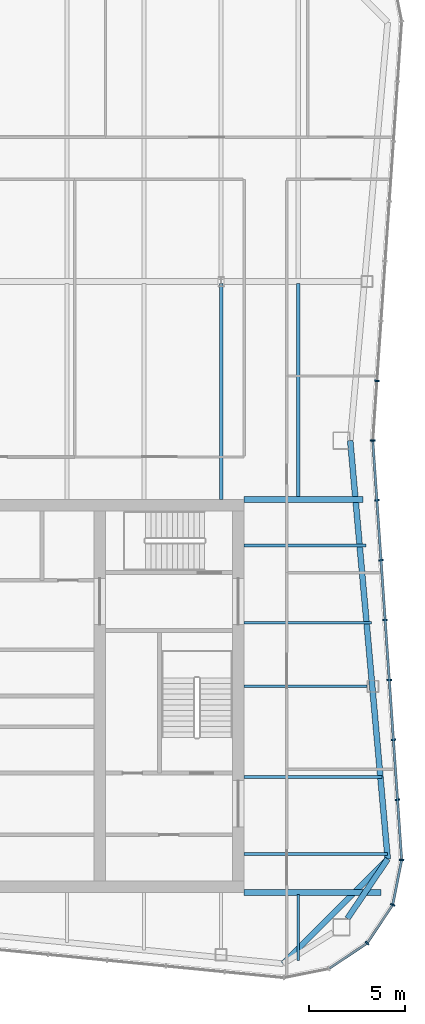
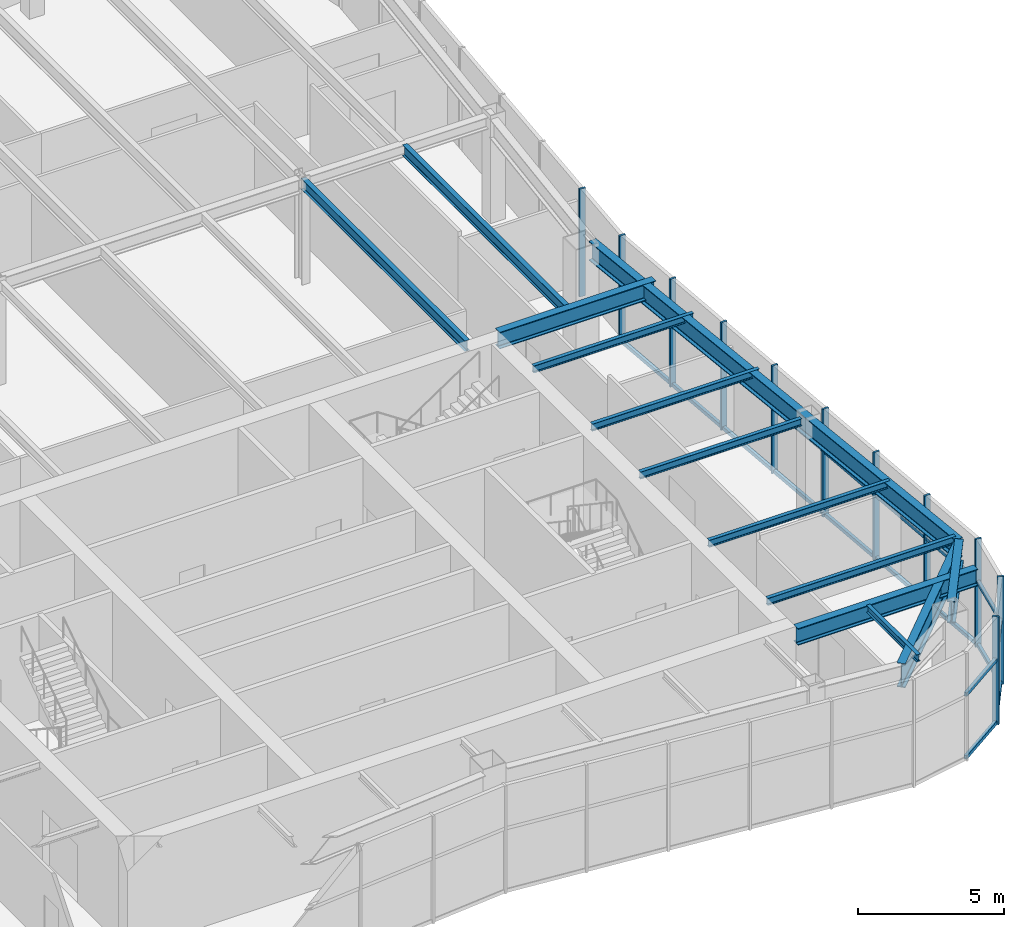
# One storey, part 5 of 13: 19 members, 13 beams, 2 elements without a shape of their own.
"""IFC4 building model written with IfcOpenShell, lengths in metres."""

from ifc_helpers import new_model, si_unit, direction, frame, origin, origin_2d, place, context, subcontext, project, spatial, rectangle, i_section, extrude, material, material_profile, profile_set, type_object, element, aggregate, save


model = new_model("IFC4")

# Units and contexts
model_context = context("Model", 3, precision=1e-05, world=origin(), true_north=direction((0.0, 1.0)))
body_context = subcontext(model_context, "Body", "Model", "MODEL_VIEW")
ifc_project = project(units=[si_unit("LENGTHUNIT", "METRE"), si_unit("AREAUNIT", "SQUARE_METRE"), si_unit("VOLUMEUNIT", "CUBIC_METRE"), si_unit("PLANEANGLEUNIT", "RADIAN"), si_unit("MASSUNIT", "GRAM", prefix="KILO")], contexts=[model_context])

# Site, building, storey
site_placement = place(None, origin())
site = spatial("IfcSite", under=ifc_project, at=site_placement, CompositionType="ELEMENT")
building_placement = place(site_placement, origin())
building = spatial("IfcBuilding", under=site, at=building_placement, Name="Verdant Reach Tower", CompositionType="ELEMENT")
storey_placement = place(building_placement, frame((0.0, 0.0, 359.5)))
storey = spatial("IfcBuildingStorey", under=building, at=storey_placement, Name="L81 Plant", CompositionType="ELEMENT", Elevation=359.5)

# Curtain wall, members
ifc_material_1 = material(Name="Anodised aluminium", Category="aluminium")
curtain_wall_type = type_object("IfcCurtainWallType", Name="EN-CW SYSTEM PLANT", PredefinedType="NOTDEFINED", material=ifc_material_1)
curtain_wall_1_placement = place(storey_placement, origin())
curtain_wall_1 = element("IfcCurtainWall", 1, at=curtain_wall_1_placement, inside=storey, type_object=curtain_wall_type, Name="Curtain wall south-east corner, L81", PredefinedType="NOTDEFINED")
ifc_material_profile_1 = material_profile(ifc_material_1, rectangle(XDim=0.238037109375, YDim=0.080078125, at=origin_2d()), Name="Mullion 80x240")
ifc_profile_set_1 = profile_set([ifc_material_profile_1], Name="Anodised aluminium")
member_type_1 = type_object("IfcMemberType", Name="EN-MULLION PLANT", PredefinedType="MULLION", material=ifc_profile_set_1)
member_1_placement = place(storey_placement, frame((19.57666015625, 15.17333984375, -0.35009765625), z_axis=(0.0, 0.0, 1.0), x_axis=(0.707106781187, -0.707106781187, 0.0)))
member_1 = element("IfcMember", 2, at=member_1_placement, type_object=member_type_1, Name="Mullion south-east corner 3, L81", PredefinedType="MULLION", context=body_context, shape_type="SweptSolid", body=[
    extrude(rectangle(XDim=0.238037109375, YDim=0.080078125, at=origin_2d()), origin(), (0.0, 0.0, 1.0), 4.5),
])
member_2_placement = place(storey_placement, frame((20.9033203125, 17.158447265625, -0.35009765625), z_axis=(0.0, 0.0, 1.0), x_axis=(0.923875215753, -0.382693853776, 0.0)))
member_2 = element("IfcMember", 3, at=member_2_placement, type_object=member_type_1, Name="Mullion south-east corner 4, L81", PredefinedType="MULLION", context=body_context, shape_type="SweptSolid", body=[
    extrude(rectangle(XDim=0.238037109375, YDim=0.080078125, at=origin_2d()), origin(), (0.0, 0.0, 1.0), 4.5),
])

curtain_wall_2_placement = place(storey_placement, origin())
curtain_wall_2 = element("IfcCurtainWall", 4, at=curtain_wall_2_placement, inside=storey, type_object=curtain_wall_type, Name="Curtain wall east, L81", PredefinedType="NOTDEFINED")
member_3_placement = place(storey_placement, frame((21.36865234375, 19.492431640625, -0.35009765625), z_axis=(0.0, 0.0, 1.0), x_axis=(0.997969180898, -0.063698618332, 0.0)))
member_3 = element("IfcMember", 5, at=member_3_placement, type_object=member_type_1, Name="Mullion east face part 1 1, L81", PredefinedType="MULLION", context=body_context, shape_type="SweptSolid", body=[
    extrude(rectangle(XDim=0.238037109375, YDim=0.080078125, at=origin_2d()), origin(), (0.0, 0.0, 1.0), 4.5),
])
member_4_placement = place(storey_placement, frame((21.154541015625, 22.615234375, -0.35009765625), z_axis=(0.0, 0.0, 1.0), x_axis=(0.997630328423, 0.068802091615, 0.0)))
member_4 = element("IfcMember", 6, at=member_4_placement, type_object=member_type_1, Name="Mullion east face part 1 2, L81", PredefinedType="MULLION", context=body_context, shape_type="SweptSolid", body=[
    extrude(rectangle(XDim=0.238037109375, YDim=0.080078125, at=origin_2d()), origin(), (0.0, 0.0, 1.0), 4.5),
])
member_5_placement = place(storey_placement, frame((20.940185546875, 25.722412109375, -0.35009765625), z_axis=(0.0, 0.0, 1.0), x_axis=(0.997630328423, 0.068802091615, 0.0)))
member_5 = element("IfcMember", 7, at=member_5_placement, type_object=member_type_1, Name="Mullion east face part 1 3, L81", PredefinedType="MULLION", context=body_context, shape_type="SweptSolid", body=[
    extrude(rectangle(XDim=0.238037109375, YDim=0.080078125, at=origin_2d()), origin(), (0.0, 0.0, 1.0), 4.5),
])
member_6_placement = place(storey_placement, frame((20.725830078125, 28.82958984375, -0.35009765625), z_axis=(0.0, 0.0, 1.0), x_axis=(0.997630328423, 0.068802091615, 0.0)))
member_6 = element("IfcMember", 8, at=member_6_placement, type_object=member_type_1, Name="Mullion east face part 1 4, L81", PredefinedType="MULLION", context=body_context, shape_type="SweptSolid", body=[
    extrude(rectangle(XDim=0.238037109375, YDim=0.080078125, at=origin_2d()), origin(), (0.0, 0.0, 1.0), 4.5),
])
member_7_placement = place(storey_placement, frame((20.511474609375, 31.936767578125, -0.35009765625), z_axis=(0.0, 0.0, 1.0), x_axis=(0.997630328423, 0.068802091615, 0.0)))
member_7 = element("IfcMember", 9, at=member_7_placement, type_object=member_type_1, Name="Mullion east face part 1 5, L81", PredefinedType="MULLION", context=body_context, shape_type="SweptSolid", body=[
    extrude(rectangle(XDim=0.238037109375, YDim=0.080078125, at=origin_2d()), origin(), (0.0, 0.0, 1.0), 4.5),
])
member_8_placement = place(storey_placement, frame((20.29736328125, 35.0439453125, -0.35009765625), z_axis=(0.0, 0.0, 1.0), x_axis=(0.997630328423, 0.068802091615, 0.0)))
member_8 = element("IfcMember", 10, at=member_8_placement, type_object=member_type_1, Name="Mullion east face part 1 6, L81", PredefinedType="MULLION", context=body_context, shape_type="SweptSolid", body=[
    extrude(rectangle(XDim=0.238037109375, YDim=0.080078125, at=origin_2d()), origin(), (0.0, 0.0, 1.0), 4.5),
])
member_9_placement = place(storey_placement, frame((20.0830078125, 38.151123046875, -0.35009765625), z_axis=(0.0, 0.0, 1.0), x_axis=(0.997630328423, 0.068802091615, 0.0)))
member_9 = element("IfcMember", 11, at=member_9_placement, type_object=member_type_1, Name="Mullion east face part 1 7, L81", PredefinedType="MULLION", context=body_context, shape_type="SweptSolid", body=[
    extrude(rectangle(XDim=0.238037109375, YDim=0.080078125, at=origin_2d()), origin(), (0.0, 0.0, 1.0), 4.5),
])
member_10_placement = place(storey_placement, frame((19.868896484375, 41.25, -0.35009765625), z_axis=(0.0, 0.0, 1.0), x_axis=(1.0, 0.0, 0.0)))
member_10 = element("IfcMember", 12, at=member_10_placement, type_object=member_type_1, Name="Mullion east face part 2 1, L81", PredefinedType="MULLION", context=body_context, shape_type="SweptSolid", body=[
    extrude(rectangle(XDim=0.238037109375, YDim=0.080078125, at=origin_2d()), origin(), (0.0, 0.0, 1.0), 4.5),
])
member_11_placement = place(storey_placement, frame((20.0830078125, 44.348876953125, -0.35009765625), z_axis=(0.0, 0.0, 1.0), x_axis=(0.997630328423, -0.068802091615, 0.0)))
member_11 = element("IfcMember", 13, at=member_11_placement, type_object=member_type_1, Name="Mullion east face part 2 2, L81", PredefinedType="MULLION", context=body_context, shape_type="SweptSolid", body=[
    extrude(rectangle(XDim=0.238037109375, YDim=0.080078125, at=origin_2d()), origin(), (0.0, 0.0, 1.0), 4.5),
])

# Member
ifc_material_profile_2 = material_profile(ifc_material_1, rectangle(XDim=0.1201171875, YDim=0.14990234375, at=origin_2d()), Name="Transom 150x120")
ifc_profile_set_2 = profile_set([ifc_material_profile_2], Name="Anodised aluminium")
member_type_2 = type_object("IfcMemberType", Name="EN-TRANSOM PLANT", PredefinedType="USERDEFINED", material=ifc_profile_set_2)
member_12_placement = place(storey_placement, frame((17.625, 13.868896484375, -0.27490234375), z_axis=(0.831398626828, 0.5556764556, 0.0), x_axis=(-0.5556764556, 0.831398626828, 0.0)))
member_12 = element("IfcMember", 14, at=member_12_placement, type_object=member_type_2, Name="Transom south-east corner 2.1, L81", ObjectType="TRANSOM", PredefinedType="USERDEFINED", context=body_context, shape_type="SweptSolid", body=[
    extrude(rectangle(XDim=0.1201171875, YDim=0.14990234375, at=origin_2d()), origin(), (0.0, 0.0, 1.0), 2.3076171875),
])

member_13_placement = place(storey_placement, frame((19.598876953125, 15.20654296875, -0.27490234375), z_axis=(0.5556764556, 0.831398626828, 0.0), x_axis=(-0.831398626828, 0.5556764556, 0.0)))
member_13 = element("IfcMember", 15, at=member_13_placement, type_object=member_type_2, Name="Transom south-east corner 3.1, L81", ObjectType="TRANSOM", PredefinedType="USERDEFINED", context=body_context, shape_type="SweptSolid", body=[
    extrude(rectangle(XDim=0.1201171875, YDim=0.14990234375, at=origin_2d()), origin(), (0.0, 0.0, 1.0), 2.3076171875),
])

member_14_placement = place(storey_placement, frame((20.9111328125, 17.197509765625, -0.27490234375), z_axis=(0.195524121666, 0.980698892549, 0.0), x_axis=(-0.980698892549, 0.195524121666, 0.0)))
member_14 = element("IfcMember", 16, at=member_14_placement, type_object=member_type_2, Name="Transom south-east corner 4.1, L81", ObjectType="TRANSOM", PredefinedType="USERDEFINED", context=body_context, shape_type="SweptSolid", body=[
    extrude(rectangle(XDim=0.1201171875, YDim=0.14990234375, at=origin_2d()), origin(), (0.0, 0.0, 1.0), 2.300048828125),
])

member_15_placement = place(storey_placement, frame((17.625, 13.868896484375, 2.35009765625), z_axis=(0.831398626828, 0.5556764556, 0.0), x_axis=(-0.5556764556, 0.831398626828, 0.0)))
member_15 = element("IfcMember", 17, at=member_15_placement, type_object=member_type_2, Name="Transom south-east corner 2.2, L81", ObjectType="TRANSOM", PredefinedType="USERDEFINED", context=body_context, shape_type="SweptSolid", body=[
    extrude(rectangle(XDim=0.1201171875, YDim=0.14990234375, at=origin_2d()), origin(), (0.0, 0.0, 1.0), 2.3076171875),
])

member_16_placement = place(storey_placement, frame((19.598876953125, 15.20654296875, 2.35009765625), z_axis=(0.5556764556, 0.831398626828, 0.0), x_axis=(-0.831398626828, 0.5556764556, 0.0)))
member_16 = element("IfcMember", 18, at=member_16_placement, type_object=member_type_2, Name="Transom south-east corner 3.2, L81", ObjectType="TRANSOM", PredefinedType="USERDEFINED", context=body_context, shape_type="SweptSolid", body=[
    extrude(rectangle(XDim=0.1201171875, YDim=0.14990234375, at=origin_2d()), origin(), (0.0, 0.0, 1.0), 2.3076171875),
])

member_17_placement = place(storey_placement, frame((20.9111328125, 17.197509765625, 2.35009765625), z_axis=(0.195524121666, 0.980698892549, 0.0), x_axis=(-0.980698892549, 0.195524121666, 0.0)))
member_17 = element("IfcMember", 19, at=member_17_placement, type_object=member_type_2, Name="Transom south-east corner 4.2, L81", ObjectType="TRANSOM", PredefinedType="USERDEFINED", context=body_context, shape_type="SweptSolid", body=[
    extrude(rectangle(XDim=0.1201171875, YDim=0.14990234375, at=origin_2d()), origin(), (0.0, 0.0, 1.0), 2.300048828125),
])

aggregate(curtain_wall_1, [member_1, member_2, member_12, member_13, member_14, member_15, member_16, member_17])

member_18_placement = place(storey_placement, frame((21.365966796875, 19.5322265625, -0.27490234375), z_axis=(-0.068761218296, 0.997633146431, 0.0), x_axis=(-0.997633146431, -0.068761218296, 0.0)))
member_18 = element("IfcMember", 20, at=member_18_placement, type_object=member_type_2, Name="Transom east face part 1 1.1, L81", ObjectType="TRANSOM", PredefinedType="USERDEFINED", context=body_context, shape_type="SweptSolid", body=[
    extrude(rectangle(XDim=0.1201171875, YDim=0.14990234375, at=origin_2d()), origin(), (0.0, 0.0, 1.0), 21.7294921875),
])

member_19_placement = place(storey_placement, frame((21.365966796875, 19.5322265625, 2.35009765625), z_axis=(-0.068761218296, 0.997633146431, 0.0), x_axis=(-0.997633146431, -0.068761218296, 0.0)))
member_19 = element("IfcMember", 21, at=member_19_placement, type_object=member_type_2, Name="Transom east face part 1 1.2, L81", ObjectType="TRANSOM", PredefinedType="USERDEFINED", context=body_context, shape_type="SweptSolid", body=[
    extrude(rectangle(XDim=0.1201171875, YDim=0.14990234375, at=origin_2d()), origin(), (0.0, 0.0, 1.0), 21.7294921875),
])

aggregate(curtain_wall_2, [member_3, member_4, member_5, member_6, member_7, member_8, member_9, member_18, member_19, member_10, member_11])

# Beams
ifc_material_2 = material(Name="Steel S355", Category="steel")
ifc_material_profile_3 = material_profile(ifc_material_2, i_section(OverallWidth=0.300048828125, OverallDepth=0.699951171875, WebThickness=0.01708984375, FlangeThickness=0.031982421875, FilletRadius=0.027099609375, at=origin_2d()), Name="HEB 700")
ifc_profile_set_3 = profile_set([ifc_material_profile_3], Name="Steel S355")
beam_type_1 = type_object("IfcBeamType", Name="ST-BEAM-HEB700", PredefinedType="BEAM", material=ifc_profile_set_3)
beam_1_placement = place(storey_placement, frame((13.199951171875, 38.199951171875, 4.0), z_axis=(1.0, 0.0, 0.0), x_axis=(0.0, 1.0, 0.0)))
element("IfcBeam", 22, at=beam_1_placement, inside=storey, type_object=beam_type_1, Name="Trimmer beam, L81 Plant", PredefinedType="BEAM", context=body_context, shape_type="SweptSolid", body=[
    extrude(i_section(OverallWidth=0.300048828125, OverallDepth=0.699951171875, WebThickness=0.01708984375, FlangeThickness=0.031982421875, FilletRadius=0.027099609375, at=origin_2d()), origin(), (0.0, 0.0, 1.0), 6.158935546875),
])
beam_2_placement = place(storey_placement, frame((13.199951171875, 17.800048828125, 4.0), z_axis=(1.0, 0.0, 0.0), x_axis=(0.0, 1.0, 0.0)))
element("IfcBeam", 23, at=beam_2_placement, inside=storey, type_object=beam_type_1, Name="Trimmer beam, L81 Plant", PredefinedType="BEAM", context=body_context, shape_type="SweptSolid", body=[
    extrude(i_section(OverallWidth=0.300048828125, OverallDepth=0.699951171875, WebThickness=0.01708984375, FlangeThickness=0.031982421875, FilletRadius=0.027099609375, at=origin_2d()), origin(), (0.0, 0.0, 1.0), 7.10009765625),
])
ifc_material_profile_4 = material_profile(ifc_material_2, i_section(OverallWidth=0.302001953125, OverallDepth=0.909912109375, WebThickness=0.02099609375, FlangeThickness=0.0400390625, FilletRadius=0.030029296875, at=origin_2d()), Name="HEM 900")
ifc_profile_set_4 = profile_set([ifc_material_profile_4], Name="Steel S355")
beam_type_2 = type_object("IfcBeamType", Name="ST-BEAM-HEM900", PredefinedType="BEAM", material=ifc_profile_set_4)
beam_3_placement = place(storey_placement, frame((18.5546875, 16.449951171875, 3.89501953125), z_axis=(0.560667226688, 0.828041219335, 0.0), x_axis=(-0.828041219335, 0.560667226688, 0.0)))
element("IfcBeam", 24, at=beam_3_placement, inside=storey, type_object=beam_type_2, Name="Column stub beam, L81 Plant", PredefinedType="BEAM", context=body_context, shape_type="SweptSolid", body=[
    extrude(i_section(OverallWidth=0.302001953125, OverallDepth=0.909912109375, WebThickness=0.02099609375, FlangeThickness=0.0400390625, FilletRadius=0.030029296875, at=origin_2d()), origin(), (0.0, 0.0, 1.0), 3.72998046875),
])
ifc_material_profile_5 = material_profile(ifc_material_2, i_section(OverallWidth=0.14990234375, OverallDepth=0.300048828125, WebThickness=0.007080078125, FlangeThickness=0.0107421875, FilletRadius=0.014892578125, at=origin_2d()), Name="IPE 300")
ifc_profile_set_5 = profile_set([ifc_material_profile_5], Name="Steel S355")
beam_type_3 = type_object("IfcBeamType", Name="ST-JOIST-IPE300", PredefinedType="JOIST", material=ifc_profile_set_5)
beam_4_placement = place(storey_placement, frame((16.0, 17.699951171875, 4.199951171875), z_axis=(0.0, -1.0, 0.0), x_axis=(1.0, 0.0, 0.0)))
element("IfcBeam", 25, at=beam_4_placement, inside=storey, type_object=beam_type_3, Name="Floor joist, L81 Plant", PredefinedType="JOIST", context=body_context, shape_type="SweptSolid", body=[
    extrude(i_section(OverallWidth=0.14990234375, OverallDepth=0.300048828125, WebThickness=0.007080078125, FlangeThickness=0.0107421875, FilletRadius=0.014892578125, at=origin_2d()), origin(), (0.0, 0.0, 1.0), 3.43896484375),
])
beam_5_placement = place(storey_placement, frame((13.199951171875, 19.800048828125, 4.199951171875), z_axis=(1.0, 0.0, 0.0), x_axis=(0.0, 1.0, 0.0)))
element("IfcBeam", 26, at=beam_5_placement, inside=storey, type_object=beam_type_3, Name="Floor joist, L81 Plant", PredefinedType="JOIST", context=body_context, shape_type="SweptSolid", body=[
    extrude(i_section(OverallWidth=0.14990234375, OverallDepth=0.300048828125, WebThickness=0.007080078125, FlangeThickness=0.0107421875, FilletRadius=0.014892578125, at=origin_2d()), origin(), (0.0, 0.0, 1.0), 7.427978515625),
])
beam_6_placement = place(storey_placement, frame((13.199951171875, 23.800048828125, 4.199951171875), z_axis=(1.0, 0.0, 0.0), x_axis=(0.0, 1.0, 0.0)))
element("IfcBeam", 27, at=beam_6_placement, inside=storey, type_object=beam_type_3, Name="Floor joist, L81 Plant", PredefinedType="JOIST", context=body_context, shape_type="SweptSolid", body=[
    extrude(i_section(OverallWidth=0.14990234375, OverallDepth=0.300048828125, WebThickness=0.007080078125, FlangeThickness=0.0107421875, FilletRadius=0.014892578125, at=origin_2d()), origin(), (0.0, 0.0, 1.0), 7.152099609375),
])
beam_7_placement = place(storey_placement, frame((13.199951171875, 28.5, 4.199951171875), z_axis=(1.0, 0.0, 0.0), x_axis=(0.0, 1.0, 0.0)))
element("IfcBeam", 28, at=beam_7_placement, inside=storey, type_object=beam_type_3, Name="Floor joist, L81 Plant", PredefinedType="JOIST", context=body_context, shape_type="SweptSolid", body=[
    extrude(i_section(OverallWidth=0.14990234375, OverallDepth=0.300048828125, WebThickness=0.007080078125, FlangeThickness=0.0107421875, FilletRadius=0.014892578125, at=origin_2d()), origin(), (0.0, 0.0, 1.0), 6.37939453125),
])
beam_8_placement = place(storey_placement, frame((13.199951171875, 31.800048828125, 4.199951171875), z_axis=(1.0, 0.0, 0.0), x_axis=(0.0, 1.0, 0.0)))
element("IfcBeam", 29, at=beam_8_placement, inside=storey, type_object=beam_type_3, Name="Floor joist, L81 Plant", PredefinedType="JOIST", context=body_context, shape_type="SweptSolid", body=[
    extrude(i_section(OverallWidth=0.14990234375, OverallDepth=0.300048828125, WebThickness=0.007080078125, FlangeThickness=0.0107421875, FilletRadius=0.014892578125, at=origin_2d()), origin(), (0.0, 0.0, 1.0), 6.600341796875),
])
beam_9_placement = place(storey_placement, frame((13.199951171875, 35.800048828125, 4.199951171875), z_axis=(1.0, 0.0, 0.0), x_axis=(0.0, 1.0, 0.0)))
element("IfcBeam", 30, at=beam_9_placement, inside=storey, type_object=beam_type_3, Name="Floor joist, L81 Plant", PredefinedType="JOIST", context=body_context, shape_type="SweptSolid", body=[
    extrude(i_section(OverallWidth=0.14990234375, OverallDepth=0.300048828125, WebThickness=0.007080078125, FlangeThickness=0.0107421875, FilletRadius=0.014892578125, at=origin_2d()), origin(), (0.0, 0.0, 1.0), 6.324462890625),
])
ifc_material_profile_6 = material_profile(ifc_material_2, i_section(OverallWidth=0.18994140625, OverallDepth=0.449951171875, WebThickness=0.009521484375, FlangeThickness=0.0146484375, FilletRadius=0.02099609375, at=origin_2d()), Name="IPE 450")
ifc_profile_set_6 = profile_set([ifc_material_profile_6], Name="Steel S355")
beam_type_4 = type_object("IfcBeamType", Name="ST-JOIST-IPE450", PredefinedType="JOIST", material=ifc_profile_set_6)
beam_10_placement = place(storey_placement, frame((12.0, 38.199951171875, 4.125), z_axis=(0.0, 1.0, 0.0), x_axis=(-1.0, 0.0, 0.0)))
element("IfcBeam", 31, at=beam_10_placement, inside=storey, type_object=beam_type_4, Name="Floor joist, L81 Plant", PredefinedType="JOIST", context=body_context, shape_type="SweptSolid", body=[
    extrude(i_section(OverallWidth=0.18994140625, OverallDepth=0.449951171875, WebThickness=0.009521484375, FlangeThickness=0.0146484375, FilletRadius=0.02099609375, at=origin_2d()), origin(), (0.0, 0.0, 1.0), 11.199951171875),
])
beam_11_placement = place(storey_placement, frame((16.0, 38.300048828125, 4.125), z_axis=(0.0, 1.0, 0.0), x_axis=(-1.0, 0.0, 0.0)))
element("IfcBeam", 32, at=beam_11_placement, inside=storey, type_object=beam_type_4, Name="Floor joist, L81 Plant", PredefinedType="JOIST", context=body_context, shape_type="SweptSolid", body=[
    extrude(i_section(OverallWidth=0.18994140625, OverallDepth=0.449951171875, WebThickness=0.009521484375, FlangeThickness=0.0146484375, FilletRadius=0.02099609375, at=origin_2d()), origin(), (0.0, 0.0, 1.0), 11.099853515625),
])
ifc_material_profile_7 = material_profile(ifc_material_2, i_section(OverallWidth=0.300048828125, OverallDepth=0.800048828125, WebThickness=0.017578125, FlangeThickness=0.032958984375, FilletRadius=0.030029296875, at=origin_2d()), Name="HEB 800")
ifc_profile_set_7 = profile_set([ifc_material_profile_7], Name="Steel S355")
beam_type_5 = type_object("IfcBeamType", Name="ST-SPANDREL-HEB800", PredefinedType="SPANDREL", material=ifc_profile_set_7)
beam_12_placement = place(storey_placement, frame((18.699951171875, 41.25, 3.949951171875), z_axis=(0.089274399498, -0.996007069048, 0.0), x_axis=(0.996007069048, 0.089274399498, 0.0)))
element("IfcBeam", 33, at=beam_12_placement, inside=storey, type_object=beam_type_5, Name="Edge beam, L81 Plant", PredefinedType="SPANDREL", context=body_context, shape_type="SweptSolid", body=[
    extrude(i_section(OverallWidth=0.300048828125, OverallDepth=0.800048828125, WebThickness=0.017578125, FlangeThickness=0.032958984375, FilletRadius=0.030029296875, at=origin_2d()), origin(), (0.0, 0.0, 1.0), 21.798583984375),
])
ifc_material_profile_8 = material_profile(ifc_material_2, i_section(OverallWidth=0.302001953125, OverallDepth=1.008056640625, WebThickness=0.02099609375, FlangeThickness=0.0400390625, FilletRadius=0.030029296875, at=origin_2d()), Name="HEM 1000")
ifc_profile_set_8 = profile_set([ifc_material_profile_8], Name="Steel S355")
beam_type_6 = type_object("IfcBeamType", Name="ST-SPANDREL-HEM1000", PredefinedType="SPANDREL", material=ifc_profile_set_8)
beam_13_placement = place(storey_placement, frame((20.64599609375, 19.53857421875, 3.845947265625), z_axis=(-0.706645581521, -0.707567680237, 0.0), x_axis=(0.707567680237, -0.706645581521, 0.0)))
element("IfcBeam", 34, at=beam_13_placement, inside=storey, type_object=beam_type_6, Name="Edge beam, L81 Plant", PredefinedType="SPANDREL", context=body_context, shape_type="SweptSolid", body=[
    extrude(i_section(OverallWidth=0.302001953125, OverallDepth=1.008056640625, WebThickness=0.02099609375, FlangeThickness=0.0400390625, FilletRadius=0.030029296875, at=origin_2d()), origin(), (0.0, 0.0, 1.0), 7.67822265625),
])

save(model, "model.ifc")
